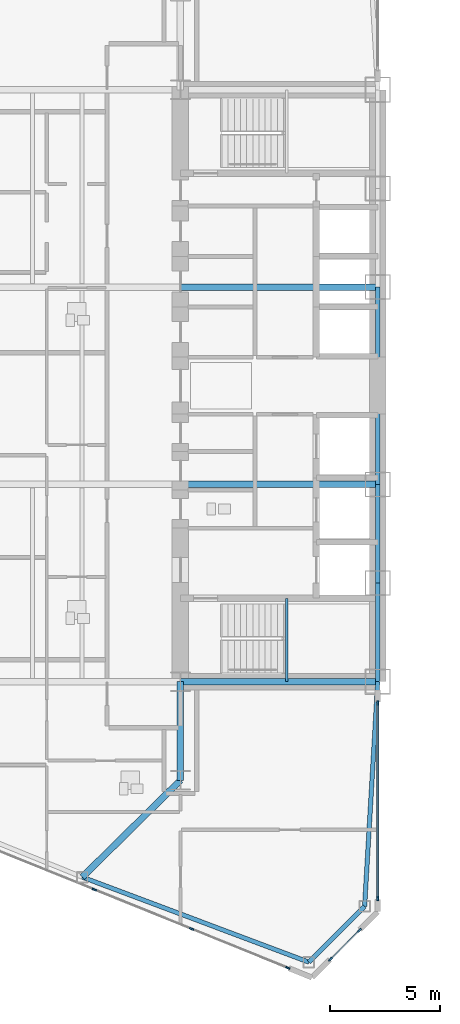
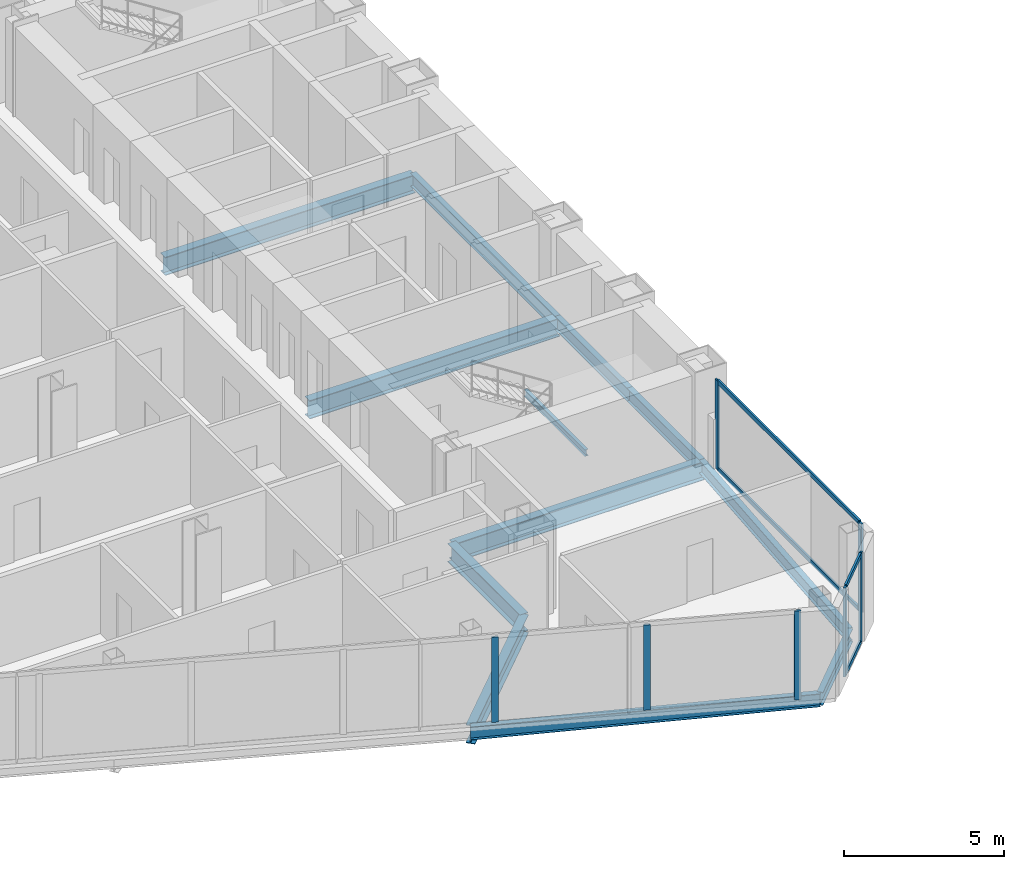
# One storey, part 5 of 25: 12 beams, 11 members, 3 elements without a shape of their own.
"""IFC4 building model written with IfcOpenShell, lengths in metres."""

from ifc_helpers import new_model, si_unit, direction, frame, origin, origin_2d, place, context, subcontext, project, spatial, rectangle, i_section, extrude, source, transform, mapped, material, layer, layer_set, material_profile, profile_set, type_object, type_shapes, element, aggregate, save


model = new_model("IFC4")

# Units and contexts
model_context = context("Model", 3, precision=1e-05, world=origin(), true_north=direction((0.0, 1.0)))
body_context = subcontext(model_context, "Body", "Model", "MODEL_VIEW")
ifc_project = project(units=[si_unit("LENGTHUNIT", "METRE"), si_unit("AREAUNIT", "SQUARE_METRE"), si_unit("VOLUMEUNIT", "CUBIC_METRE"), si_unit("PLANEANGLEUNIT", "RADIAN"), si_unit("MASSUNIT", "GRAM", prefix="KILO")], contexts=[model_context])

# Site, building, storey
site_placement = place(None, origin())
site = spatial("IfcSite", under=ifc_project, at=site_placement, CompositionType="ELEMENT")
building_placement = place(site_placement, origin())
building = spatial("IfcBuilding", under=site, at=building_placement, Name="Seokmaru Belvedere", CompositionType="ELEMENT")
storey_placement = place(building_placement, frame((0.0, 0.0, 58.5)))
storey = spatial("IfcBuildingStorey", under=building, at=storey_placement, Name="L15", CompositionType="ELEMENT", Elevation=58.5)

# Beams
ifc_material_1 = material(Name="Steel SM355 (355 MPa)", Category="steel")
ifc_material_profile_1 = material_profile(ifc_material_1, i_section(OverallWidth=0.199951171875, OverallDepth=0.5, WebThickness=0.010009765625, FlangeThickness=0.01611328125, at=origin_2d()), Name="H-500x200x10x16")
ifc_profile_set_1 = profile_set([ifc_material_profile_1], Name="Steel SM355 (355 MPa)")
beam_type_1 = type_object("IfcBeamType", Name="Perimeter Spandrel Beam H-500", PredefinedType="SPANDREL", material=ifc_profile_set_1)
shared_shape_1 = source(origin(), body_context, "Body", "SweptSolid", [
    extrude(i_section(OverallWidth=0.199951171875, OverallDepth=0.5, WebThickness=0.010009765625, FlangeThickness=0.01611328125, at=origin_2d()), origin(), (0.0, 0.0, 1.0), 4.5),
])
for number, where, z_axis, x_axis, name in (
    (1, (-27.5, -13.5, -0.469970703125), (0.0, 1.0, 0.0), (-1.0, 0.0, 0.0), "L15 W Portal Spine Spandrel 1"),
    (2, (-27.5, -9.0, -0.469970703125), (0.0, 1.0, 0.0), (-1.0, 0.0, 0.0), "L15 W Portal Spine Spandrel 2"),
):
    element("IfcBeam", number, at=place(storey_placement, frame(where, z_axis=z_axis, x_axis=x_axis)), inside=storey, type_object=beam_type_1, Name=name, PredefinedType="SPANDREL", context=body_context, shape_type="MappedRepresentation", body=[
        mapped(shared_shape_1, transform((0.0, 0.0, 0.0), scale=1.0)),
    ])
shared_shape_2 = source(origin(), body_context, "Body", "SweptSolid", [
    extrude(i_section(OverallWidth=0.199951171875, OverallDepth=0.5, WebThickness=0.010009765625, FlangeThickness=0.01611328125, at=origin_2d()), origin(), (0.0, 0.0, 1.0), 9.0),
])
beam_1_placement = place(storey_placement, frame((-27.5, -4.5, -0.469970703125), z_axis=(0.0, 1.0, 0.0), x_axis=(-1.0, 0.0, 0.0)))
element("IfcBeam", 3, at=beam_1_placement, inside=storey, type_object=beam_type_1, Name="L15 W Portal Spine Spandrel 3", PredefinedType="SPANDREL", context=body_context, shape_type="MappedRepresentation", body=[
    mapped(shared_shape_2, transform((0.0, 0.0, 0.0), scale=1.0)),
])
ifc_material_profile_2 = material_profile(ifc_material_1, i_section(OverallWidth=0.300048828125, OverallDepth=0.699951171875, WebThickness=0.012939453125, FlangeThickness=0.02392578125, at=origin_2d()), Name="H-700x300x13x24")
ifc_profile_set_2 = profile_set([ifc_material_profile_2], Name="Steel SM355 (355 MPa)")
beam_type_2 = type_object("IfcBeamType", Name="Primary Floor Girder H-700", PredefinedType="BEAM", material=ifc_profile_set_2)
shared_shape_3 = source(origin(), body_context, "Body", "SweptSolid", [
    extrude(i_section(OverallWidth=0.300048828125, OverallDepth=0.699951171875, WebThickness=0.012939453125, FlangeThickness=0.02392578125, at=origin_2d()), origin(), (0.0, 0.0, 1.0), 4.5),
])
beam_2_placement = place(storey_placement, frame((-36.5, -18.0, -0.570068359375), z_axis=(0.0, 1.0, 0.0), x_axis=(-1.0, 0.0, 0.0)))
element("IfcBeam", 4, at=beam_2_placement, inside=storey, type_object=beam_type_2, Name="L15 W Core Shoulder Girder S", PredefinedType="BEAM", context=body_context, shape_type="MappedRepresentation", body=[
    mapped(shared_shape_3, transform((0.0, 0.0, 0.0), scale=1.0)),
])
shared_shape_4 = source(origin(), body_context, "Body", "SweptSolid", [
    extrude(i_section(OverallWidth=0.300048828125, OverallDepth=0.699951171875, WebThickness=0.012939453125, FlangeThickness=0.02392578125, at=origin_2d()), origin(), (0.0, 0.0, 1.0), 9.0),
])
for number, where, z_axis, x_axis, name in (
    (5, (-36.5, -13.5, -0.570068359375), (1.0, 0.0, 0.0), (0.0, 1.0, 0.0), "L15 W Core Tie Girder 1"),
    (6, (-36.5, -4.5, -0.570068359375), (1.0, 0.0, 0.0), (0.0, 1.0, 0.0), "L15 W Core Tie Girder 2"),
    (7, (-36.5, 4.5, -0.570068359375), (1.0, 0.0, 0.0), (0.0, 1.0, 0.0), "L15 W Core Tie Girder 3"),
):
    element("IfcBeam", number, at=place(storey_placement, frame(where, z_axis=z_axis, x_axis=x_axis)), inside=storey, type_object=beam_type_2, Name=name, PredefinedType="BEAM", context=body_context, shape_type="MappedRepresentation", body=[
        mapped(shared_shape_4, transform((0.0, 0.0, 0.0), scale=1.0)),
    ])
shared_shape_5 = source(origin(), body_context, "Body", "SweptSolid", [
    extrude(i_section(OverallWidth=0.199951171875, OverallDepth=0.5, WebThickness=0.010009765625, FlangeThickness=0.01611328125, at=origin_2d()), origin(), (0.0, 0.0, 1.0), 11.03857421875),
])
beam_3_placement = place(storey_placement, frame((-30.643310546875, -26.294677734375, -0.469970703125), z_axis=(-0.936169110734, 0.351549990907, 0.0), x_axis=(-0.351549990907, -0.936169110734, 0.0)))
element("IfcBeam", 8, at=beam_3_placement, inside=storey, type_object=beam_type_1, Name="L15 W Faceted Flank Spandrel S-1", PredefinedType="SPANDREL", context=body_context, shape_type="MappedRepresentation", body=[
    mapped(shared_shape_5, transform((0.0, 0.0, 0.0), scale=1.0)),
])
shared_shape_6 = source(origin(), body_context, "Body", "SweptSolid", [
    extrude(i_section(OverallWidth=0.199951171875, OverallDepth=0.5, WebThickness=0.010009765625, FlangeThickness=0.01611328125, at=origin_2d()), origin(), (0.0, 0.0, 1.0), 3.5966796875),
])
beam_4_placement = place(storey_placement, frame((-30.643310546875, -26.294677734375, -0.469970703125), z_axis=(0.707106781187, 0.707106781187, 0.0), x_axis=(-0.707106781187, 0.707106781187, 0.0)))
element("IfcBeam", 9, at=beam_4_placement, inside=storey, type_object=beam_type_1, Name="L15 W Shoulder Chamfer Spandrel S", PredefinedType="SPANDREL", context=body_context, shape_type="MappedRepresentation", body=[
    mapped(shared_shape_6, transform((0.0, 0.0, 0.0), scale=1.0)),
])
shared_shape_7 = source(origin(), body_context, "Body", "SweptSolid", [
    extrude(i_section(OverallWidth=0.199951171875, OverallDepth=0.5, WebThickness=0.010009765625, FlangeThickness=0.01611328125, at=origin_2d()), origin(), (0.0, 0.0, 1.0), 10.26904296875),
])
type_shapes(beam_type_1, [shared_shape_1, shared_shape_2, shared_shape_5, shared_shape_6, shared_shape_7])
beam_5_placement = place(storey_placement, frame((-28.10009765625, -23.75146484375, -0.469970703125), z_axis=(0.058437709399, 0.998291056817, 0.0), x_axis=(-0.998291056817, 0.058437709399, 0.0)))
element("IfcBeam", 10, at=beam_5_placement, inside=storey, type_object=beam_type_1, Name="L15 W Shoulder Spine Spandrel S", PredefinedType="SPANDREL", context=body_context, shape_type="MappedRepresentation", body=[
    mapped(shared_shape_7, transform((0.0, 0.0, 0.0), scale=1.0)),
])
shared_shape_8 = source(origin(), body_context, "Body", "SweptSolid", [
    extrude(i_section(OverallWidth=0.300048828125, OverallDepth=0.699951171875, WebThickness=0.012939453125, FlangeThickness=0.02392578125, at=origin_2d()), origin(), (0.0, 0.0, 1.0), 6.287353515625),
])
type_shapes(beam_type_2, [shared_shape_3, shared_shape_4, shared_shape_8])
beam_6_placement = place(storey_placement, frame((-40.977294921875, -22.4140625, -0.570068359375), z_axis=(0.712117485263, 0.702060315915, 0.0), x_axis=(-0.702060315915, 0.712117485263, 0.0)))
element("IfcBeam", 11, at=beam_6_placement, inside=storey, type_object=beam_type_2, Name="L15 W Flank Radial Floor Girder S-1", PredefinedType="BEAM", context=body_context, shape_type="MappedRepresentation", body=[
    mapped(shared_shape_8, transform((0.0, 0.0, 0.0), scale=1.0)),
])

# Curtain wall, members
ifc_material_2 = material(Name="Bronze Triple Insulating Glass", Category="glass")
ifc_layer = layer(ifc_material_2, 0.2099609375)
ifc_layer_set = layer_set([ifc_layer], Name="Bronze Triple Insulating Glass")
curtain_wall_type = type_object("IfcCurtainWallType", Name="Low-Rise Faceted Crystal Curtain Wall System CW-2", PredefinedType="NOTDEFINED", material=ifc_layer_set)
curtain_wall_1_placement = place(storey_placement, origin())
curtain_wall_1 = element("IfcCurtainWall", 12, at=curtain_wall_1_placement, inside=storey, type_object=curtain_wall_type, Name="L15 Curtain Wall WSP_1", PredefinedType="NOTDEFINED")
ifc_material_3 = material(Name="Anodised Bronze Aluminium", Category="aluminium")
ifc_material_profile_3 = material_profile(ifc_material_3, rectangle(XDim=0.070068359375, YDim=0.1650390625, at=origin_2d()), Name="CW-T-70x165")
ifc_profile_set_3 = profile_set([ifc_material_profile_3], Name="Anodised Bronze Aluminium")
member_type_1 = type_object("IfcMemberType", Name="Bronze Unitised Transom 70x165", PredefinedType="USERDEFINED", material=ifc_profile_set_3)
shared_shape_9 = source(origin(), body_context, "Body", "SweptSolid", [
    extrude(rectangle(XDim=0.070068359375, YDim=0.1650390625, at=origin_2d()), origin(), (0.0, 0.0, 1.0), 8.85009765625),
])
member_1_placement = place(storey_placement, frame((-27.5, -23.35498046875, 0.034912109375), z_axis=(0.0, 1.0, 0.0), x_axis=(-1.0, 0.0, 0.0)))
member_1 = element("IfcMember", 13, at=member_1_placement, type_object=member_type_1, Name="CW:L15:WSP_1 Continuous Transom 1", ObjectType="TRANSOM", PredefinedType="USERDEFINED", context=body_context, shape_type="MappedRepresentation", body=[
    mapped(shared_shape_9, transform((0.0, 0.0, 0.0), scale=1.0)),
])
member_2_placement = place(storey_placement, frame((-27.5, -23.35498046875, 3.344970703125), z_axis=(0.0, 1.0, 0.0), x_axis=(-1.0, 0.0, 0.0)))
member_2 = element("IfcMember", 14, at=member_2_placement, type_object=member_type_1, Name="CW:L15:WSP_1 Continuous Transom 2", ObjectType="TRANSOM", PredefinedType="USERDEFINED", context=body_context, shape_type="MappedRepresentation", body=[
    mapped(shared_shape_9, transform((0.0, 0.0, 0.0), scale=1.0)),
])

curtain_wall_2_placement = place(storey_placement, origin())
curtain_wall_2 = element("IfcCurtainWall", 15, at=curtain_wall_2_placement, inside=storey, type_object=curtain_wall_type, Name="L15 Curtain Wall WF6", PredefinedType="NOTDEFINED")
shared_shape_10 = source(origin(), body_context, "Body", "SweptSolid", [
    extrude(rectangle(XDim=0.070068359375, YDim=0.1650390625, at=origin_2d()), origin(), (0.0, 0.0, 1.0), 1.792724609375),
])
type_shapes(member_type_1, [shared_shape_9, shared_shape_10])
member_3_placement = place(storey_placement, frame((-29.6337890625, -26.1337890625, 0.034912109375), z_axis=(0.707106781187, 0.707106781187, 0.0), x_axis=(-0.707106781187, 0.707106781187, 0.0)))
member_3 = element("IfcMember", 16, at=member_3_placement, type_object=member_type_1, Name="CW:L15:WF6 Continuous Transom 1", ObjectType="TRANSOM", PredefinedType="USERDEFINED", context=body_context, shape_type="MappedRepresentation", body=[
    mapped(shared_shape_10, transform((0.0, 0.0, 0.0), scale=1.0)),
])
member_4_placement = place(storey_placement, frame((-29.6337890625, -26.1337890625, 3.344970703125), z_axis=(0.707106781187, 0.707106781187, 0.0), x_axis=(-0.707106781187, 0.707106781187, 0.0)))
member_4 = element("IfcMember", 17, at=member_4_placement, type_object=member_type_1, Name="CW:L15:WF6 Continuous Transom 2", ObjectType="TRANSOM", PredefinedType="USERDEFINED", context=body_context, shape_type="MappedRepresentation", body=[
    mapped(shared_shape_10, transform((0.0, 0.0, 0.0), scale=1.0)),
])

curtain_wall_3_placement = place(storey_placement, origin())
curtain_wall_3 = element("IfcCurtainWall", 18, at=curtain_wall_3_placement, inside=storey, type_object=curtain_wall_type, Name="L15 Curtain Wall WF5", PredefinedType="NOTDEFINED")
ifc_material_profile_4 = material_profile(ifc_material_3, rectangle(XDim=0.074951171875, YDim=0.2099609375, at=origin_2d()), Name="CW-M-75x210")
ifc_profile_set_4 = profile_set([ifc_material_profile_4], Name="Anodised Bronze Aluminium")
member_type_2 = type_object("IfcMemberType", Name="Bronze Unitised Mullion 75x210", PredefinedType="MULLION", material=ifc_profile_set_4)
shared_shape_11 = source(origin(), body_context, "Body", "SweptSolid", [
    extrude(rectangle(XDim=0.074951171875, YDim=0.2099609375, at=origin_2d()), origin(), (0.0, 0.0, 1.0), 3.239990234375),
])
member_5_placement = place(storey_placement, frame((-40.425537109375, -22.982421875, 0.070068359375), z_axis=(0.0, 0.0, 1.0), x_axis=(0.375192321888, 0.926946989637, 0.0)))
member_5 = element("IfcMember", 19, at=member_5_placement, type_object=member_type_2, Name="CW:L15:WF5 Mullion 8", PredefinedType="MULLION", context=body_context, shape_type="MappedRepresentation", body=[
    mapped(shared_shape_11, transform((0.0, 0.0, 0.0), scale=1.0)),
])
member_6_placement = place(storey_placement, frame((-35.995849609375, -24.775390625, 0.070068359375), z_axis=(0.0, 0.0, 1.0), x_axis=(0.375192321888, 0.926946989637, 0.0)))
member_6 = element("IfcMember", 20, at=member_6_placement, type_object=member_type_2, Name="CW:L15:WF5 Mullion 9", PredefinedType="MULLION", context=body_context, shape_type="MappedRepresentation", body=[
    mapped(shared_shape_11, transform((0.0, 0.0, 0.0), scale=1.0)),
])

# Member
shared_shape_12 = source(origin(), body_context, "Body", "SweptSolid", [
    extrude(rectangle(XDim=0.074951171875, YDim=0.2099609375, at=origin_2d()), origin(), (0.0, 0.0, 1.0), 3.3798828125),
])
type_shapes(member_type_2, [shared_shape_11, shared_shape_12])
member_7_placement = place(storey_placement, frame((-27.5, -23.392578125, 0.0), z_axis=(0.0, 0.0, 1.0), x_axis=(-1.0, 0.0, 0.0)))
member_7 = element("IfcMember", 21, at=member_7_placement, type_object=member_type_2, Name="CW:L15:WSP_1 Mullion 1", PredefinedType="MULLION", context=body_context, shape_type="MappedRepresentation", body=[
    mapped(shared_shape_12, transform((0.0, 0.0, 0.0), scale=1.0)),
])

member_8_placement = place(storey_placement, frame((-27.5, -14.467529296875, 0.0), z_axis=(0.0, 0.0, 1.0), x_axis=(-1.0, 0.0, 0.0)))
member_8 = element("IfcMember", 22, at=member_8_placement, type_object=member_type_2, Name="CW:L15:WSP_1 Mullion 2", PredefinedType="MULLION", context=body_context, shape_type="MappedRepresentation", body=[
    mapped(shared_shape_12, transform((0.0, 0.0, 0.0), scale=1.0)),
])

aggregate(curtain_wall_1, [member_7, member_8, member_1, member_2])

member_9_placement = place(storey_placement, frame((-31.600830078125, -26.554443359375, 0.0), z_axis=(0.0, 0.0, 1.0), x_axis=(0.375192321888, 0.926946989637, 0.0)))
member_9 = element("IfcMember", 23, at=member_9_placement, type_object=member_type_2, Name="CW:L15:WF5 Mullion 10", PredefinedType="MULLION", context=body_context, shape_type="MappedRepresentation", body=[
    mapped(shared_shape_12, transform((0.0, 0.0, 0.0), scale=1.0)),
])

aggregate(curtain_wall_3, [member_5, member_6, member_9])

member_10_placement = place(storey_placement, frame((-29.660400390625, -26.160400390625, 0.0), z_axis=(0.0, 0.0, 1.0), x_axis=(-0.707106781187, 0.707106781187, 0.0)))
member_10 = element("IfcMember", 24, at=member_10_placement, type_object=member_type_2, Name="CW:L15:WF6 Mullion 1", PredefinedType="MULLION", context=body_context, shape_type="MappedRepresentation", body=[
    mapped(shared_shape_12, transform((0.0, 0.0, 0.0), scale=1.0)),
])

member_11_placement = place(storey_placement, frame((-28.339599609375, -24.839599609375, 0.0), z_axis=(0.0, 0.0, 1.0), x_axis=(-0.707106781187, 0.707106781187, 0.0)))
member_11 = element("IfcMember", 25, at=member_11_placement, type_object=member_type_2, Name="CW:L15:WF6 Mullion 2", PredefinedType="MULLION", context=body_context, shape_type="MappedRepresentation", body=[
    mapped(shared_shape_12, transform((0.0, 0.0, 0.0), scale=1.0)),
])

aggregate(curtain_wall_2, [member_10, member_11, member_3, member_4])

# Beam
ifc_material_profile_5 = material_profile(ifc_material_1, i_section(OverallWidth=0.125, OverallDepth=0.25, WebThickness=0.006103515625, FlangeThickness=0.009033203125, at=origin_2d()), Name="H-250x125x6x9")
ifc_profile_set_5 = profile_set([ifc_material_profile_5], Name="Steel SM355 (355 MPa)")
beam_type_3 = type_object("IfcBeamType", Name="Stair Mid-Landing Support Beam H-250", PredefinedType="JOIST", material=ifc_profile_set_5)
shared_shape_13 = source(origin(), body_context, "Body", "SweptSolid", [
    extrude(i_section(OverallWidth=0.125, OverallDepth=0.25, WebThickness=0.006103515625, FlangeThickness=0.009033203125, at=origin_2d()), origin(), (0.0, 0.0, 1.0), 3.800048828125),
])
type_shapes(beam_type_3, [shared_shape_13])
beam_7_placement = place(storey_placement, frame((-31.64990234375, -13.5, 1.47509765625), z_axis=(0.0, 1.0, 0.0), x_axis=(-1.0, 0.0, 0.0)))
element("IfcBeam", 26, at=beam_7_placement, inside=storey, type_object=beam_type_3, Name="L15 Stair ST-W1 Mid-Landing Support Beam 1", PredefinedType="JOIST", context=body_context, shape_type="MappedRepresentation", body=[
    mapped(shared_shape_13, transform((0.0, 0.0, 0.0), scale=1.0)),
])

save(model, "model.ifc")
